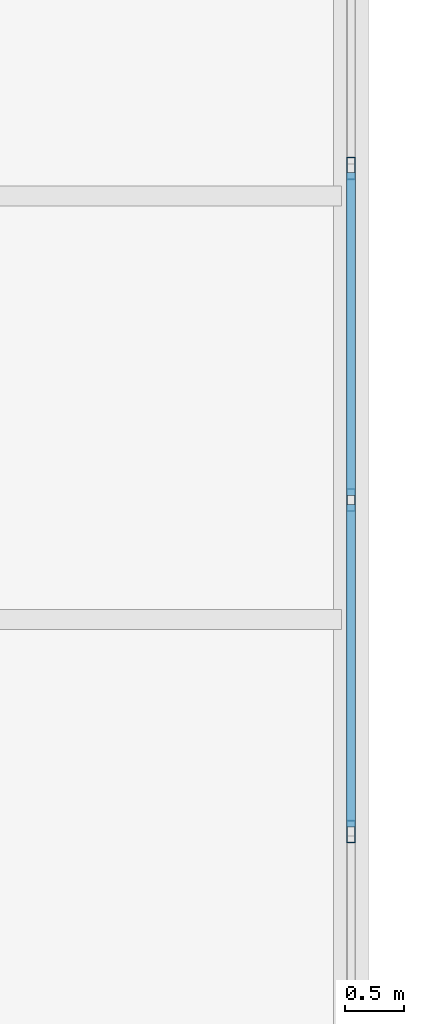
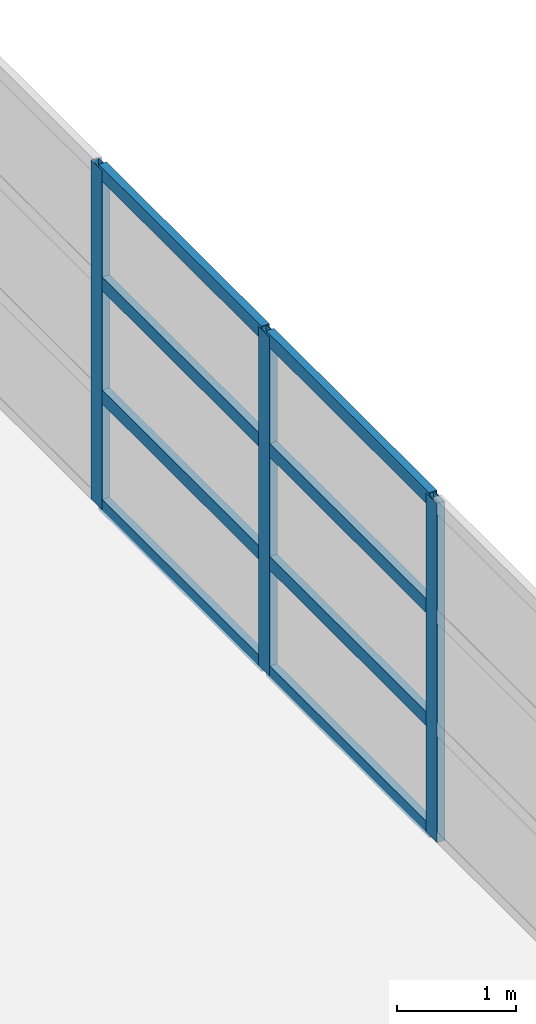
# One storey, part 83 of 158: 11 members, 1 element without a shape of its own.
"""IFC4 building model written with IfcOpenShell, lengths in metres."""

from ifc_helpers import new_model, si_unit, direction, frame, origin, origin_2d, place, context, subcontext, project, spatial, hollow_rectangle, extrude, material, layer, layer_set, material_profile, profile_set, type_object, element, aggregate, save


model = new_model("IFC4")

# Units and contexts
model_context = context("Model", 3, precision=1e-05, world=origin(), true_north=direction((0.0, 1.0)))
body_context = subcontext(model_context, "Body", "Model", "MODEL_VIEW")
ifc_project = project(units=[si_unit("LENGTHUNIT", "METRE"), si_unit("AREAUNIT", "SQUARE_METRE"), si_unit("VOLUMEUNIT", "CUBIC_METRE"), si_unit("PLANEANGLEUNIT", "RADIAN"), si_unit("MASSUNIT", "GRAM", prefix="KILO")], contexts=[model_context])

# Site, building, storey
site_placement = place(None, origin())
site = spatial("IfcSite", under=ifc_project, at=site_placement, CompositionType="ELEMENT")
building_placement = place(site_placement, origin())
building = spatial("IfcBuilding", under=site, at=building_placement, Name="Zilviju Railside Exhibition Hall", CompositionType="ELEMENT")
storey_placement = place(building_placement, frame((0.0, 0.0, 4.199951171875)))
storey = spatial("IfcBuildingStorey", under=building, at=storey_placement, Name="L02", CompositionType="ELEMENT", Elevation=4.199951171875)

# Curtain wall, members
ifc_material_1 = material(Name="Thermally broken aluminium-steel triple-glazed curtain wall", Category="steel")
ifc_layer = layer(ifc_material_1, 0.179931640625)
ifc_layer_set = layer_set([ifc_layer], Name="Thermally broken aluminium-steel triple-glazed curtain wall")
curtain_wall_type = type_object("IfcCurtainWallType", Name="CW-BAY-09", PredefinedType="USERDEFINED", material=ifc_layer_set)
curtain_wall_placement = place(storey_placement, origin())
curtain_wall = element("IfcCurtainWall", 1, at=curtain_wall_placement, inside=storey, type_object=curtain_wall_type, Name="South Hall East Glazed Gable L02 (0..18)", ObjectType="GLAZED CURTAIN WALL", PredefinedType="USERDEFINED")
ifc_material_2 = material(Name="Thermally broken anodized aluminium mullion", Category="aluminium")
ifc_material_profile_1 = material_profile(ifc_material_2, hollow_rectangle(XDim=0.074951171875, YDim=0.18994140625, WallThickness=0.0048828125, at=origin_2d()), Name="MULLION 190x75x5")
ifc_profile_set_1 = profile_set([ifc_material_profile_1], Name="Thermally broken anodized aluminium mullion")
member_type_1 = type_object("IfcMemberType", Name="CWM-75x190", PredefinedType="MULLION", material=ifc_profile_set_1)
member_1_placement = place(storey_placement, frame((216.0, 14.63330078125, 0.0), z_axis=(0.0, 0.0, 1.0), x_axis=(1.0, 0.0, 0.0)))
member_1 = element("IfcMember", 2, at=member_1_placement, type_object=member_type_1, Name="CW-09 mullion 2", PredefinedType="MULLION", context=body_context, shape_type="SweptSolid", body=[
    extrude(hollow_rectangle(XDim=0.074951171875, YDim=0.18994140625, WallThickness=0.0048828125, at=origin_2d()), origin(), (0.0, 0.0, 1.0), 3.47998046875),
])
member_2_placement = place(storey_placement, frame((216.0, 11.816650390625, 0.0), z_axis=(0.0, 0.0, 1.0), x_axis=(1.0, 0.0, 0.0)))
member_2 = element("IfcMember", 3, at=member_2_placement, type_object=member_type_1, Name="CW-09 mullion 3", PredefinedType="MULLION", context=body_context, shape_type="SweptSolid", body=[
    extrude(hollow_rectangle(XDim=0.074951171875, YDim=0.18994140625, WallThickness=0.0048828125, at=origin_2d()), origin(), (0.0, 0.0, 1.0), 3.47998046875),
])
member_3_placement = place(storey_placement, frame((216.0, 9.0, 0.0), z_axis=(0.0, 0.0, 1.0), x_axis=(1.0, 0.0, 0.0)))
member_3 = element("IfcMember", 4, at=member_3_placement, type_object=member_type_1, Name="CW-09 mullion 4", PredefinedType="MULLION", context=body_context, shape_type="SweptSolid", body=[
    extrude(hollow_rectangle(XDim=0.074951171875, YDim=0.18994140625, WallThickness=0.0048828125, at=origin_2d()), origin(), (0.0, 0.0, 1.0), 3.47998046875),
])
ifc_material_3 = material(Name="Thermally broken anodized aluminium transom", Category="aluminium")
ifc_material_profile_2 = material_profile(ifc_material_3, hollow_rectangle(XDim=0.074951171875, YDim=0.139892578125, WallThickness=0.0048828125, at=origin_2d()), Name="TRANSOM 140x75x5")
ifc_profile_set_2 = profile_set([ifc_material_profile_2], Name="Thermally broken anodized aluminium transom")
member_type_2 = type_object("IfcMemberType", Name="CWT-75x140", PredefinedType="USERDEFINED", material=ifc_profile_set_2)
member_4_placement = place(storey_placement, frame((216.0, 14.595947265625, 0.03759765625), z_axis=(0.0, -1.0, 0.0), x_axis=(1.0, 0.0, 0.0)))
member_4 = element("IfcMember", 5, at=member_4_placement, type_object=member_type_2, Name="CW-09 transom 2.1", ObjectType="TRANSOM", PredefinedType="USERDEFINED", context=body_context, shape_type="SweptSolid", body=[
    extrude(hollow_rectangle(XDim=0.074951171875, YDim=0.139892578125, WallThickness=0.0048828125, at=origin_2d()), origin(), (0.0, 0.0, 1.0), 2.74169921875),
])
member_5_placement = place(storey_placement, frame((216.0, 14.595947265625, 1.16015625), z_axis=(0.0, -1.0, 0.0), x_axis=(1.0, 0.0, 0.0)))
member_5 = element("IfcMember", 6, at=member_5_placement, type_object=member_type_2, Name="CW-09 transom 2.2", ObjectType="TRANSOM", PredefinedType="USERDEFINED", context=body_context, shape_type="SweptSolid", body=[
    extrude(hollow_rectangle(XDim=0.074951171875, YDim=0.139892578125, WallThickness=0.0048828125, at=origin_2d()), origin(), (0.0, 0.0, 1.0), 2.74169921875),
])
member_6_placement = place(storey_placement, frame((216.0, 14.595947265625, 2.320068359375), z_axis=(0.0, -1.0, 0.0), x_axis=(1.0, 0.0, 0.0)))
member_6 = element("IfcMember", 7, at=member_6_placement, type_object=member_type_2, Name="CW-09 transom 2.3", ObjectType="TRANSOM", PredefinedType="USERDEFINED", context=body_context, shape_type="SweptSolid", body=[
    extrude(hollow_rectangle(XDim=0.074951171875, YDim=0.139892578125, WallThickness=0.0048828125, at=origin_2d()), origin(), (0.0, 0.0, 1.0), 2.74169921875),
])
member_7_placement = place(storey_placement, frame((216.0, 14.595947265625, 3.442626953125), z_axis=(0.0, -1.0, 0.0), x_axis=(1.0, 0.0, 0.0)))
member_7 = element("IfcMember", 8, at=member_7_placement, type_object=member_type_2, Name="CW-09 transom 2.4", ObjectType="TRANSOM", PredefinedType="USERDEFINED", context=body_context, shape_type="SweptSolid", body=[
    extrude(hollow_rectangle(XDim=0.074951171875, YDim=0.139892578125, WallThickness=0.0048828125, at=origin_2d()), origin(), (0.0, 0.0, 1.0), 2.74169921875),
])
member_8_placement = place(storey_placement, frame((216.0, 11.779052734375, 0.03759765625), z_axis=(0.0, -1.0, 0.0), x_axis=(1.0, 0.0, 0.0)))
member_8 = element("IfcMember", 9, at=member_8_placement, type_object=member_type_2, Name="CW-09 transom 3.1", ObjectType="TRANSOM", PredefinedType="USERDEFINED", context=body_context, shape_type="SweptSolid", body=[
    extrude(hollow_rectangle(XDim=0.074951171875, YDim=0.139892578125, WallThickness=0.0048828125, at=origin_2d()), origin(), (0.0, 0.0, 1.0), 2.741455078125),
])
member_9_placement = place(storey_placement, frame((216.0, 11.779052734375, 1.16015625), z_axis=(0.0, -1.0, 0.0), x_axis=(1.0, 0.0, 0.0)))
member_9 = element("IfcMember", 10, at=member_9_placement, type_object=member_type_2, Name="CW-09 transom 3.2", ObjectType="TRANSOM", PredefinedType="USERDEFINED", context=body_context, shape_type="SweptSolid", body=[
    extrude(hollow_rectangle(XDim=0.074951171875, YDim=0.139892578125, WallThickness=0.0048828125, at=origin_2d()), origin(), (0.0, 0.0, 1.0), 2.741455078125),
])
member_10_placement = place(storey_placement, frame((216.0, 11.779052734375, 2.320068359375), z_axis=(0.0, -1.0, 0.0), x_axis=(1.0, 0.0, 0.0)))
member_10 = element("IfcMember", 11, at=member_10_placement, type_object=member_type_2, Name="CW-09 transom 3.3", ObjectType="TRANSOM", PredefinedType="USERDEFINED", context=body_context, shape_type="SweptSolid", body=[
    extrude(hollow_rectangle(XDim=0.074951171875, YDim=0.139892578125, WallThickness=0.0048828125, at=origin_2d()), origin(), (0.0, 0.0, 1.0), 2.741455078125),
])
member_11_placement = place(storey_placement, frame((216.0, 11.779052734375, 3.442626953125), z_axis=(0.0, -1.0, 0.0), x_axis=(1.0, 0.0, 0.0)))
member_11 = element("IfcMember", 12, at=member_11_placement, type_object=member_type_2, Name="CW-09 transom 3.4", ObjectType="TRANSOM", PredefinedType="USERDEFINED", context=body_context, shape_type="SweptSolid", body=[
    extrude(hollow_rectangle(XDim=0.074951171875, YDim=0.139892578125, WallThickness=0.0048828125, at=origin_2d()), origin(), (0.0, 0.0, 1.0), 2.741455078125),
])
aggregate(curtain_wall, [member_1, member_2, member_3, member_4, member_5, member_6, member_7, member_8, member_9, member_10, member_11])

save(model, "model.ifc")
